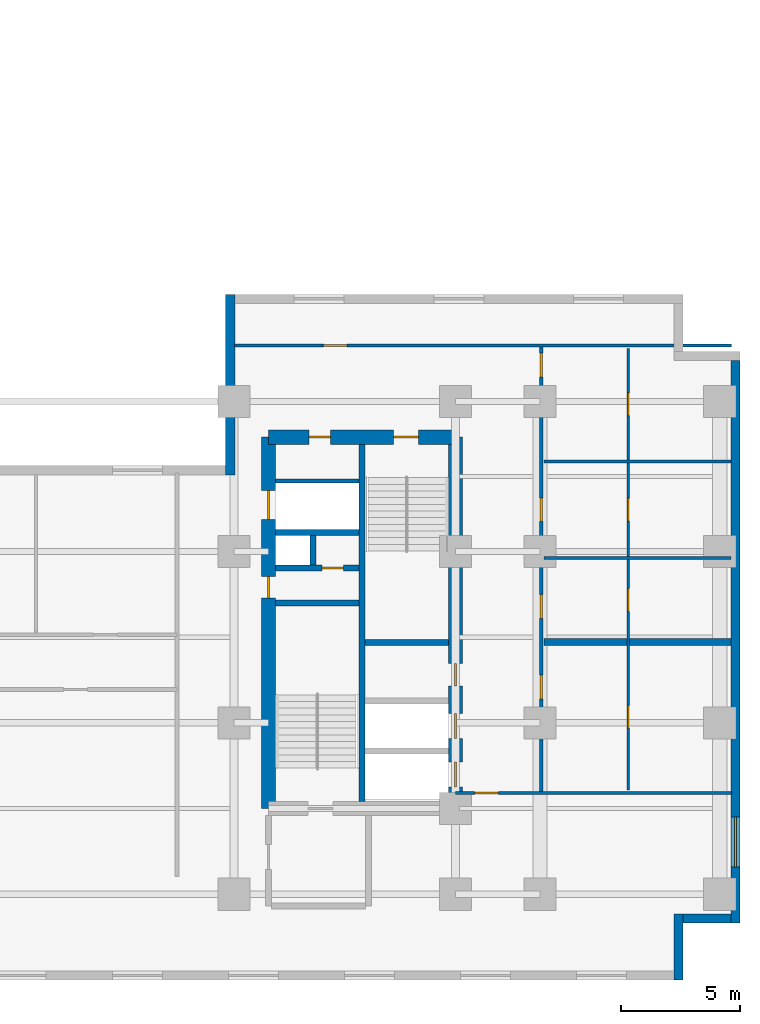
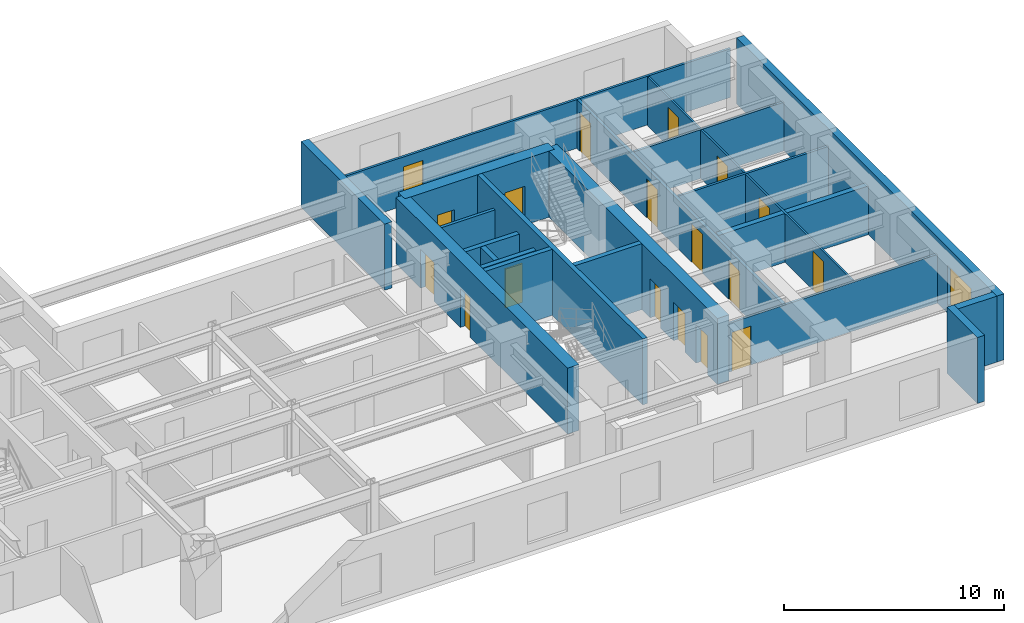
# One storey, part 5 of 9: 21 walls, 18 doors, 1 window, 19 openings.
"""IFC4 building model written with IfcOpenShell, lengths in metres."""

from ifc_helpers import new_model, entity, si_unit, converted_unit, direction, frame, origin_with_axes, origin_2d_with_axis, place, context, subcontext, project, spatial, polyline, rectangle, outline, extrude, material, layer, layer_set, type_object, element, fill, save


model = new_model("IFC4")

# Units and contexts
model_context = context("Model", 3, precision=1e-05, world=origin_with_axes(), true_north=direction((0.0, 1.0)))
body_context = subcontext(model_context, "Body", "Model", "MODEL_VIEW")
ifc_project = project(units=[si_unit("LENGTHUNIT", "METRE"), si_unit("AREAUNIT", "SQUARE_METRE"), si_unit("VOLUMEUNIT", "CUBIC_METRE"), converted_unit("PLANEANGLEUNIT", "DEGREE", entity("IfcPlaneAngleMeasure", 0.017453292519943295), si_unit("PLANEANGLEUNIT", "RADIAN"), dimensions=[0, 0, 0, 0, 0, 0, 0]), si_unit("MASSUNIT", "GRAM", prefix="KILO"), si_unit("THERMODYNAMICTEMPERATUREUNIT", "KELVIN")], contexts=[model_context])

# Site, building, storey
site_placement = place(None, origin_with_axes())
site = spatial("IfcSite", under=ifc_project, at=site_placement, CompositionType="ELEMENT")
building_placement = place(site_placement, origin_with_axes())
building = spatial("IfcBuilding", under=site, at=building_placement, Name="Varnlund Millrace Tower", CompositionType="ELEMENT")
storey_placement = place(building_placement, frame((0.0, 0.0, 40.5), z_axis=(0.0, 0.0, 1.0), x_axis=(1.0, 0.0, 0.0)))
storey = spatial("IfcBuildingStorey", under=building, at=storey_placement, Name="L09", CompositionType="ELEMENT", Elevation=40.5)

# Wall, openings, doors
ifc_material_1 = material(Name="Concrete C80/95", Category="concrete")
ifc_layer_1 = layer(ifc_material_1, 0.6, Name="Concrete C80/95")
ifc_layer_set_1 = layer_set([ifc_layer_1], Name="Concrete C80/95")
wall_type_1 = type_object("IfcWallType", Name="Type-CoreWall-Shear-600-C80", PredefinedType="SHEAR", material=ifc_layer_set_1)
wall_1_placement = place(storey_placement, frame((40.2, 7.2, 0.0), z_axis=(0.0, 0.0, 1.0), x_axis=(0.0, 1.0, 0.0)))
wall_1 = element("IfcWall", 1, at=wall_1_placement, inside=storey, type_object=wall_type_1, Name="Type-CoreWall-Shear-600-C80", PredefinedType="SHEAR", context=body_context, shape_type="SweptSolid", body=[
    extrude(outline(polyline([(0.0, -0.3), (15.6, -0.3), (15.6, 0.3), (0.0, 0.3), (0.0, -0.3)])), origin_with_axes(), (0.0, 0.0, 1.0), 3.66),
])
opening_1_placement = place(wall_1_placement, frame((12.75, 0.0, 0.0), z_axis=(0.0, 0.0, 1.0), x_axis=(1.0, 0.0, 0.0)))
opening_1 = element("IfcOpeningElement", 2, at=opening_1_placement, cuts=wall_1, Name="Opening L09:LD-SRV2", PredefinedType="OPENING", context=body_context, shape_type="SweptSolid", body=[
    extrude(rectangle(XDim=1.2, YDim=0.62, at=origin_2d_with_axis()), origin_with_axes(), (0.0, 0.0, 1.0), 2.15),
])
opening_2_placement = place(wall_1_placement, frame((9.3, 0.0, 0.0), z_axis=(0.0, 0.0, 1.0), x_axis=(1.0, 0.0, 0.0)))
opening_2 = element("IfcOpeningElement", 3, at=opening_2_placement, cuts=wall_1, Name="Opening L09:DR-CB-JAN", PredefinedType="OPENING", context=body_context, shape_type="SweptSolid", body=[
    extrude(rectangle(XDim=0.9, YDim=0.62, at=origin_2d_with_axis()), origin_with_axes(), (0.0, 0.0, 1.0), 2.15),
])
ifc_material_2 = material(Name="Fire-rated hollow steel service closet door", Category="steel")
door_type_1 = type_object("IfcDoorType", Name="Type-FireDoor-Closet-900X2150", OperationType="NOTDEFINED", PredefinedType="DOOR", material=ifc_material_2)
door_1_placement = place(wall_1_placement, frame((9.3, 0.0, 0.0), z_axis=(0.0, 0.0, 1.0), x_axis=(1.0, 0.0, 0.0)))
door_1 = element("IfcDoor", 4, at=door_1_placement, inside=storey, type_object=door_type_1, Name="Type-FireDoor-Closet-900X2150", OperationType="SINGLE_SWING_RIGHT", OverallHeight=2.15, OverallWidth=0.9, PredefinedType="DOOR", context=body_context, shape_type="SweptSolid", body=[
    extrude(rectangle(XDim=0.9, YDim=0.09, at=origin_2d_with_axis()), origin_with_axes(), (0.0, 0.0, 1.0), 2.15),
])
fill(opening_2, door_1)
ifc_material_3 = material(Name="Heavy-duty freight sliding landing door")
door_type_2 = type_object("IfcDoorType", Name="Type-LiftLandingDoor-Service-1200X2150", OperationType="NOTDEFINED", PredefinedType="DOOR", material=ifc_material_3)
door_2_placement = place(wall_1_placement, frame((12.75, 0.0, 0.0), z_axis=(0.0, 0.0, 1.0), x_axis=(1.0, 0.0, 0.0)))
door_2 = element("IfcDoor", 5, at=door_2_placement, inside=storey, type_object=door_type_2, Name="Type-LiftLandingDoor-Service-1200X2150", OperationType="DOUBLE_DOOR_SLIDING", OverallHeight=2.15, OverallWidth=1.2, PredefinedType="DOOR", context=body_context, shape_type="SweptSolid", body=[
    extrude(rectangle(XDim=1.2, YDim=0.09, at=origin_2d_with_axis()), origin_with_axes(), (0.0, 0.0, 1.0), 2.15),
])
fill(opening_1, door_2)

wall_2_placement = place(storey_placement, frame((40.2, 22.8, 0.0), z_axis=(0.0, 0.0, 1.0), x_axis=(1.0, 0.0, 0.0)))
wall_2 = element("IfcWall", 6, at=wall_2_placement, inside=storey, type_object=wall_type_1, Name="Type-CoreWall-Shear-600-C80", PredefinedType="SHEAR", context=body_context, shape_type="SweptSolid", body=[
    extrude(outline(polyline([(0.0, -0.3), (7.85, -0.3), (7.85, 0.3), (0.0, 0.3), (0.0, -0.3)])), origin_with_axes(), (0.0, 0.0, 1.0), 3.66),
])
opening_3_placement = place(wall_2_placement, frame((5.775, 0.0, 0.0), z_axis=(0.0, 0.0, 1.0), x_axis=(1.0, 0.0, 0.0)))
opening_3 = element("IfcOpeningElement", 7, at=opening_3_placement, cuts=wall_2, Name="Opening L09:DR-STB2", PredefinedType="OPENING", context=body_context, shape_type="SweptSolid", body=[
    extrude(rectangle(XDim=1.05, YDim=0.62, at=origin_2d_with_axis()), origin_with_axes(), (0.0, 0.0, 1.0), 2.15),
])
opening_4_placement = place(wall_2_placement, frame((2.15, 0.0, 0.0), z_axis=(0.0, 0.0, 1.0), x_axis=(1.0, 0.0, 0.0)))
opening_4 = element("IfcOpeningElement", 8, at=opening_4_placement, cuts=wall_2, Name="Opening L09:DR-CB-NW", PredefinedType="OPENING", context=body_context, shape_type="SweptSolid", body=[
    extrude(rectangle(XDim=0.9, YDim=0.62, at=origin_2d_with_axis()), origin_with_axes(), (0.0, 0.0, 1.0), 2.15),
])
door_3_placement = place(wall_2_placement, frame((2.15, 0.0, 0.0), z_axis=(0.0, 0.0, 1.0), x_axis=(1.0, 0.0, 0.0)))
door_3 = element("IfcDoor", 9, at=door_3_placement, inside=storey, type_object=door_type_1, Name="Type-FireDoor-Closet-900X2150", OperationType="SINGLE_SWING_LEFT", OverallHeight=2.15, OverallWidth=0.9, PredefinedType="DOOR", context=body_context, shape_type="SweptSolid", body=[
    extrude(rectangle(XDim=0.9, YDim=0.09, at=origin_2d_with_axis()), origin_with_axes(), (0.0, 0.0, 1.0), 2.15),
])
fill(opening_4, door_3)
ifc_material_4 = material(Name="Fire-rated hollow steel door", Category="steel")
door_type_3 = type_object("IfcDoorType", Name="Type-FireDoor-Stair-1050X2150", OperationType="NOTDEFINED", PredefinedType="DOOR", material=ifc_material_4)
door_4_placement = place(wall_2_placement, frame((5.775, 0.0, 0.0), z_axis=(0.0, 0.0, 1.0), x_axis=(1.0, 0.0, 0.0)))
door_4 = element("IfcDoor", 10, at=door_4_placement, inside=storey, type_object=door_type_3, Name="Type-FireDoor-Stair-1050X2150", OperationType="SINGLE_SWING_RIGHT", OverallHeight=2.15, OverallWidth=1.05, PredefinedType="DOOR", context=body_context, shape_type="SweptSolid", body=[
    extrude(rectangle(XDim=1.05, YDim=0.09, at=origin_2d_with_axis()), origin_with_axes(), (0.0, 0.0, 1.0), 2.15),
])
fill(opening_3, door_4)

wall_3_placement = place(storey_placement, frame((48.05, 7.2, 0.0), z_axis=(0.0, 0.0, 1.0), x_axis=(0.0, 1.0, 0.0)))
wall_3 = element("IfcWall", 11, at=wall_3_placement, inside=storey, type_object=wall_type_1, Name="Type-CoreWall-Shear-600-C80", PredefinedType="SHEAR", context=body_context, shape_type="SweptSolid", body=[
    extrude(outline(polyline([(0.0, -0.3), (15.6, -0.3), (15.6, 0.3), (0.0, 0.3), (0.0, -0.3)])), origin_with_axes(), (0.0, 0.0, 1.0), 3.66),
])
opening_5_placement = place(wall_3_placement, frame((1.425, 0.0, 0.0), z_axis=(0.0, 0.0, 1.0), x_axis=(1.0, 0.0, 0.0)))
opening_5 = element("IfcOpeningElement", 12, at=opening_5_placement, cuts=wall_3, Name="Opening L09:LD-ELV-L3", PredefinedType="OPENING", context=body_context, shape_type="SweptSolid", body=[
    extrude(rectangle(XDim=1.05, YDim=0.62, at=origin_2d_with_axis()), origin_with_axes(), (0.0, 0.0, 1.0), 2.15),
])
opening_6_placement = place(wall_3_placement, frame((3.475, 0.0, 0.0), z_axis=(0.0, 0.0, 1.0), x_axis=(1.0, 0.0, 0.0)))
opening_6 = element("IfcOpeningElement", 13, at=opening_6_placement, cuts=wall_3, Name="Opening L09:LD-ELV-L4", PredefinedType="OPENING", context=body_context, shape_type="SweptSolid", body=[
    extrude(rectangle(XDim=1.05, YDim=0.62, at=origin_2d_with_axis()), origin_with_axes(), (0.0, 0.0, 1.0), 2.15),
])
opening_7_placement = place(wall_3_placement, frame((5.625, 0.0, 0.0), z_axis=(0.0, 0.0, 1.0), x_axis=(1.0, 0.0, 0.0)))
opening_7 = element("IfcOpeningElement", 14, at=opening_7_placement, cuts=wall_3, Name="Opening L09:DR-CB-WC", PredefinedType="OPENING", context=body_context, shape_type="SweptSolid", body=[
    extrude(rectangle(XDim=0.95, YDim=0.62, at=origin_2d_with_axis()), origin_with_axes(), (0.0, 0.0, 1.0), 2.15),
])
ifc_material_5 = material(Name="Fire-rated hollow steel core service door", Category="steel")
door_type_4 = type_object("IfcDoorType", Name="Type-FireDoor-Service-950X2150", OperationType="NOTDEFINED", PredefinedType="DOOR", material=ifc_material_5)
door_5_placement = place(wall_3_placement, frame((5.625, 0.0, 0.0), z_axis=(0.0, 0.0, 1.0), x_axis=(1.0, 0.0, 0.0)))
door_5 = element("IfcDoor", 15, at=door_5_placement, inside=storey, type_object=door_type_4, Name="Type-FireDoor-Service-950X2150", OperationType="SINGLE_SWING_LEFT", OverallHeight=2.15, OverallWidth=0.95, PredefinedType="DOOR", context=body_context, shape_type="SweptSolid", body=[
    extrude(rectangle(XDim=0.95, YDim=0.09, at=origin_2d_with_axis()), origin_with_axes(), (0.0, 0.0, 1.0), 2.15),
])
fill(opening_7, door_5)
ifc_material_6 = material(Name="Architectural bronze sliding landing door")
door_type_5 = type_object("IfcDoorType", Name="Type-LiftLandingDoor-Compact-1050X2150", OperationType="NOTDEFINED", PredefinedType="DOOR", material=ifc_material_6)
door_6_placement = place(wall_3_placement, frame((1.425, 0.0, 0.0), z_axis=(0.0, 0.0, 1.0), x_axis=(1.0, 0.0, 0.0)))
door_6 = element("IfcDoor", 16, at=door_6_placement, inside=storey, type_object=door_type_5, Name="Type-LiftLandingDoor-Compact-1050X2150", OperationType="SLIDING_TO_LEFT", OverallHeight=2.15, OverallWidth=1.05, PredefinedType="DOOR", context=body_context, shape_type="SweptSolid", body=[
    extrude(rectangle(XDim=1.05, YDim=0.09, at=origin_2d_with_axis()), origin_with_axes(), (0.0, 0.0, 1.0), 2.15),
])
fill(opening_5, door_6)
door_7_placement = place(wall_3_placement, frame((3.475, 0.0, 0.0), z_axis=(0.0, 0.0, 1.0), x_axis=(1.0, 0.0, 0.0)))
door_7 = element("IfcDoor", 17, at=door_7_placement, inside=storey, type_object=door_type_5, Name="Type-LiftLandingDoor-Compact-1050X2150", OperationType="SLIDING_TO_RIGHT", OverallHeight=2.15, OverallWidth=1.05, PredefinedType="DOOR", context=body_context, shape_type="SweptSolid", body=[
    extrude(rectangle(XDim=1.05, YDim=0.09, at=origin_2d_with_axis()), origin_with_axes(), (0.0, 0.0, 1.0), 2.15),
])
fill(opening_6, door_7)

# Wall
ifc_material_7 = material(Name="Precast concrete C50/60", Category="concrete")
ifc_layer_2 = layer(ifc_material_7, 0.38, Name="Precast concrete C50/60")
ifc_layer_set_2 = layer_set([ifc_layer_2], Name="Precast concrete C50/60")
wall_type_2 = type_object("IfcWallType", Name="Type-ExtWall-Precast-Tube-380", PredefinedType="SOLIDWALL", material=ifc_layer_set_2)
wall_4_placement = place(storey_placement, frame((38.59, 21.22, 0.0), z_axis=(0.0, 0.0, 1.0), x_axis=(0.0, 1.0, 0.0)))
element("IfcWall", 18, at=wall_4_placement, inside=storey, type_object=wall_type_2, Name="Type-ExtWall-Precast-Tube-380", PredefinedType="SOLIDWALL", context=body_context, shape_type="SweptSolid", body=[
    extrude(outline(polyline([(0.0, -0.19), (7.58, -0.19), (7.58, 0.19), (0.0, 0.19), (0.0, -0.19)])), origin_with_axes(), (0.0, 0.0, 1.0), 3.66),
])

# Wall, opening, window
wall_5_placement = place(storey_placement, frame((59.81, 26.02, 0.0), z_axis=(0.0, 0.0, 1.0), x_axis=(0.0, -1.0, 0.0)))
wall_5 = element("IfcWall", 19, at=wall_5_placement, inside=storey, type_object=wall_type_2, Name="Type-ExtWall-Precast-Tube-380", PredefinedType="SOLIDWALL", context=body_context, shape_type="SweptSolid", body=[
    extrude(outline(polyline([(0.0, -0.19), (23.62, -0.19), (23.62, 0.19), (0.0, 0.19), (0.0, -0.19)])), origin_with_axes(), (0.0, 0.0, 1.0), 3.66),
])
opening_8_placement = place(wall_5_placement, frame((20.218, 0.0, 0.45), z_axis=(0.0, 0.0, 1.0), x_axis=(1.0, 0.0, 0.0)))
opening_8 = element("IfcOpeningElement", 20, at=opening_8_placement, cuts=wall_5, Name="Opening L09:WN-04", PredefinedType="OPENING", context=body_context, shape_type="SweptSolid", body=[
    extrude(rectangle(XDim=2.1, YDim=0.4, at=origin_2d_with_axis()), origin_with_axes(), (0.0, 0.0, 1.0), 2.2),
])
ifc_material_8 = material(Name="Argon low-e triple glazing in thermally broken bronze frame", Category="glass")
window_type = type_object("IfcWindowType", Name="Type-Window-Punched-2100X2200", PartitioningType="SINGLE_PANEL", PredefinedType="WINDOW", material=ifc_material_8)
window_placement = place(wall_5_placement, frame((20.218, 0.0, 0.45), z_axis=(0.0, 0.0, 1.0), x_axis=(1.0, 0.0, 0.0)))
window = element("IfcWindow", 21, at=window_placement, inside=storey, type_object=window_type, Name="Type-Window-Punched-2100X2200", OverallHeight=2.2, OverallWidth=2.1, PredefinedType="WINDOW", context=body_context, shape_type="SweptSolid", body=[
    extrude(rectangle(XDim=2.1, YDim=0.09, at=origin_2d_with_axis()), origin_with_axes(), (0.0, 0.0, 1.0), 2.2),
])
fill(opening_8, window)

# Walls
wall_6_placement = place(storey_placement, frame((59.62, 2.59, 0.0), z_axis=(0.0, 0.0, 1.0), x_axis=(-1.0, 0.0, 0.0)))
element("IfcWall", 22, at=wall_6_placement, inside=storey, type_object=wall_type_2, Name="Type-ExtWall-Precast-Tube-380", PredefinedType="SOLIDWALL", context=body_context, shape_type="SweptSolid", body=[
    extrude(outline(polyline([(0.0, -0.19), (2.02, -0.19), (2.02, 0.19), (0.0, 0.19), (0.0, -0.19)])), origin_with_axes(), (0.0, 0.0, 1.0), 3.66),
])
wall_7_placement = place(storey_placement, frame((57.41, 2.78, 0.0), z_axis=(0.0, 0.0, 1.0), x_axis=(0.0, -1.0, 0.0)))
element("IfcWall", 23, at=wall_7_placement, inside=storey, type_object=wall_type_2, Name="Type-ExtWall-Precast-Tube-380", PredefinedType="SOLIDWALL", context=body_context, shape_type="SweptSolid", body=[
    extrude(outline(polyline([(0.0, -0.19), (2.78, -0.19), (2.78, 0.19), (0.0, 0.19), (0.0, -0.19)])), origin_with_axes(), (0.0, 0.0, 1.0), 3.66),
])
ifc_material_9 = material(Name="Double-stud STC-60 conference acoustic partition", Category="gypsum")
ifc_layer_3 = layer(ifc_material_9, 0.28, Name="Double-stud STC-60 conference acoustic partition")
ifc_layer_set_3 = layer_set([ifc_layer_3], Name="Double-stud STC-60 conference acoustic partition")
wall_type_3 = type_object("IfcWallType", Name="Type-Partition-Acoustic-280", PredefinedType="PARTITIONING", material=ifc_layer_set_3)
wall_8_placement = place(storey_placement, frame((51.77, 14.196, 0.0), z_axis=(0.0, 0.0, 1.0), x_axis=(1.0, 0.0, 0.0)))
element("IfcWall", 24, at=wall_8_placement, inside=storey, type_object=wall_type_3, Name="Type-Partition-Acoustic-280", PredefinedType="PARTITIONING", context=body_context, shape_type="SweptSolid", body=[
    extrude(outline(polyline([(0.0, -0.14), (7.855, -0.14), (7.855, 0.14), (0.0, 0.14), (0.0, -0.14)])), origin_with_axes(), (0.0, 0.0, 1.0), 2.7),
])
ifc_material_10 = material(Name="Fire-rated gypsum board on cold-formed steel framing", Category="steel")
ifc_layer_4 = layer(ifc_material_10, 0.16, Name="Fire-rated gypsum board on cold-formed steel framing")
ifc_layer_set_4 = layer_set([ifc_layer_4], Name="Fire-rated gypsum board on cold-formed steel framing")
wall_type_4 = type_object("IfcWallType", Name="Type-Partition-Corridor-160", PredefinedType="PARTITIONING", material=ifc_layer_set_4)
wall_9_placement = place(storey_placement, frame((40.5, 20.96, 0.0), z_axis=(0.0, 0.0, 1.0), x_axis=(1.0, 0.0, 0.0)))
element("IfcWall", 25, at=wall_9_placement, inside=storey, type_object=wall_type_4, Name="Type-Partition-Corridor-160", PredefinedType="PARTITIONING", context=body_context, shape_type="SweptSolid", body=[
    extrude(outline(polyline([(0.0, -0.08), (3.5, -0.08), (3.5, 0.08), (0.0, 0.08), (0.0, -0.08)])), origin_with_axes(), (0.0, 0.0, 1.0), 2.7),
])

# Wall, openings, doors
wall_10_placement = place(storey_placement, frame((51.65, 7.85, 0.0), z_axis=(0.0, 0.0, 1.0), x_axis=(0.0, 1.0, 0.0)))
wall_10 = element("IfcWall", 26, at=wall_10_placement, inside=storey, type_object=wall_type_4, Name="Type-Partition-Corridor-160", PredefinedType="PARTITIONING", context=body_context, shape_type="SweptSolid", body=[
    extrude(outline(polyline([(0.0, -0.08), (18.8, -0.08), (18.8, 0.08), (0.0, 0.08), (0.0, -0.08)])), origin_with_axes(), (0.0, 0.0, 1.0), 2.7),
])
opening_9_placement = place(wall_10_placement, frame((4.453, 0.0, 0.0), z_axis=(0.0, 0.0, 1.0), x_axis=(1.0, 0.0, 0.0)))
opening_9 = element("IfcOpeningElement", 27, at=opening_9_placement, cuts=wall_10, Name="Opening L09:DR-WB-01", PredefinedType="OPENING", context=body_context, shape_type="SweptSolid", body=[
    extrude(rectangle(XDim=1.0, YDim=0.18, at=origin_2d_with_axis()), origin_with_axes(), (0.0, 0.0, 1.0), 2.15),
])
opening_10_placement = place(wall_10_placement, frame((7.831, 0.0, 0.0), z_axis=(0.0, 0.0, 1.0), x_axis=(1.0, 0.0, 0.0)))
opening_10 = element("IfcOpeningElement", 28, at=opening_10_placement, cuts=wall_10, Name="Opening L09:DR-WB-02", PredefinedType="OPENING", context=body_context, shape_type="SweptSolid", body=[
    extrude(rectangle(XDim=1.0, YDim=0.18, at=origin_2d_with_axis()), origin_with_axes(), (0.0, 0.0, 1.0), 2.15),
])
opening_11_placement = place(wall_10_placement, frame((11.898, 0.0, 0.0), z_axis=(0.0, 0.0, 1.0), x_axis=(1.0, 0.0, 0.0)))
opening_11 = element("IfcOpeningElement", 29, at=opening_11_placement, cuts=wall_10, Name="Opening L09:DR-WB-03", PredefinedType="OPENING", context=body_context, shape_type="SweptSolid", body=[
    extrude(rectangle(XDim=1.0, YDim=0.18, at=origin_2d_with_axis()), origin_with_axes(), (0.0, 0.0, 1.0), 2.15),
])
opening_12_placement = place(wall_10_placement, frame((17.98, 0.0, 0.0), z_axis=(0.0, 0.0, 1.0), x_axis=(1.0, 0.0, 0.0)))
opening_12 = element("IfcOpeningElement", 30, at=opening_12_placement, cuts=wall_10, Name="Opening L09:DR-WB-04", PredefinedType="OPENING", context=body_context, shape_type="SweptSolid", body=[
    extrude(rectangle(XDim=1.0, YDim=0.18, at=origin_2d_with_axis()), origin_with_axes(), (0.0, 0.0, 1.0), 2.15),
])
ifc_material_11 = material(Name="Solid-core white oak and bronze frame door")
door_type_6 = type_object("IfcDoorType", Name="Type-IntDoor-Office-1000X2150", OperationType="NOTDEFINED", PredefinedType="DOOR", material=ifc_material_11)
door_8_placement = place(wall_10_placement, frame((4.453, 0.0, 0.0), z_axis=(0.0, 0.0, 1.0), x_axis=(1.0, 0.0, 0.0)))
door_8 = element("IfcDoor", 31, at=door_8_placement, inside=storey, type_object=door_type_6, Name="Type-IntDoor-Office-1000X2150", OperationType="SINGLE_SWING_LEFT", OverallHeight=2.15, OverallWidth=1.0, PredefinedType="DOOR", context=body_context, shape_type="SweptSolid", body=[
    extrude(rectangle(XDim=1.0, YDim=0.09, at=origin_2d_with_axis()), origin_with_axes(), (0.0, 0.0, 1.0), 2.15),
])
fill(opening_9, door_8)
door_9_placement = place(wall_10_placement, frame((7.831, 0.0, 0.0), z_axis=(0.0, 0.0, 1.0), x_axis=(1.0, 0.0, 0.0)))
door_9 = element("IfcDoor", 32, at=door_9_placement, inside=storey, type_object=door_type_6, Name="Type-IntDoor-Office-1000X2150", OperationType="SINGLE_SWING_RIGHT", OverallHeight=2.15, OverallWidth=1.0, PredefinedType="DOOR", context=body_context, shape_type="SweptSolid", body=[
    extrude(rectangle(XDim=1.0, YDim=0.09, at=origin_2d_with_axis()), origin_with_axes(), (0.0, 0.0, 1.0), 2.15),
])
fill(opening_10, door_9)
door_10_placement = place(wall_10_placement, frame((11.898, 0.0, 0.0), z_axis=(0.0, 0.0, 1.0), x_axis=(1.0, 0.0, 0.0)))
door_10 = element("IfcDoor", 33, at=door_10_placement, inside=storey, type_object=door_type_6, Name="Type-IntDoor-Office-1000X2150", OperationType="SINGLE_SWING_LEFT", OverallHeight=2.15, OverallWidth=1.0, PredefinedType="DOOR", context=body_context, shape_type="SweptSolid", body=[
    extrude(rectangle(XDim=1.0, YDim=0.09, at=origin_2d_with_axis()), origin_with_axes(), (0.0, 0.0, 1.0), 2.15),
])
fill(opening_11, door_10)
door_11_placement = place(wall_10_placement, frame((17.98, 0.0, 0.0), z_axis=(0.0, 0.0, 1.0), x_axis=(1.0, 0.0, 0.0)))
door_11 = element("IfcDoor", 34, at=door_11_placement, inside=storey, type_object=door_type_6, Name="Type-IntDoor-Office-1000X2150", OperationType="SINGLE_SWING_RIGHT", OverallHeight=2.15, OverallWidth=1.0, PredefinedType="DOOR", context=body_context, shape_type="SweptSolid", body=[
    extrude(rectangle(XDim=1.0, YDim=0.09, at=origin_2d_with_axis()), origin_with_axes(), (0.0, 0.0, 1.0), 2.15),
])
fill(opening_12, door_11)

ifc_material_12 = material(Name="Architectural bronze and acoustic glass office front", Category="glass")
ifc_layer_5 = layer(ifc_material_12, 0.1, Name="Architectural bronze and acoustic glass office front")
ifc_layer_set_5 = layer_set([ifc_layer_5], Name="Architectural bronze and acoustic glass office front")
wall_type_5 = type_object("IfcWallType", Name="Type-Partition-Glazed-100", PredefinedType="PARTITIONING", material=ifc_layer_set_5)
wall_11_placement = place(storey_placement, frame((55.3, 7.98, 0.0), z_axis=(0.0, 0.0, 1.0), x_axis=(0.0, 1.0, 0.0)))
wall_11 = element("IfcWall", 35, at=wall_11_placement, inside=storey, type_object=wall_type_5, Name="Type-Partition-Glazed-100", PredefinedType="PARTITIONING", context=body_context, shape_type="SweptSolid", body=[
    extrude(outline(polyline([(0.0, -0.05), (18.54, -0.05), (18.54, 0.05), (0.0, 0.05), (0.0, -0.05)])), origin_with_axes(), (0.0, 0.0, 1.0), 2.7),
])
opening_13_placement = place(wall_11_placement, frame((3.073, 0.0, 0.0), z_axis=(0.0, 0.0, 1.0), x_axis=(1.0, 0.0, 0.0)))
opening_13 = element("IfcOpeningElement", 36, at=opening_13_placement, cuts=wall_11, Name="Opening L09:DR-WB-S01", PredefinedType="OPENING", context=body_context, shape_type="SweptSolid", body=[
    extrude(rectangle(XDim=0.95, YDim=0.12, at=origin_2d_with_axis()), origin_with_axes(), (0.0, 0.0, 1.0), 2.15),
])
opening_14_placement = place(wall_11_placement, frame((7.9805, 0.0, 0.0), z_axis=(0.0, 0.0, 1.0), x_axis=(1.0, 0.0, 0.0)))
opening_14 = element("IfcOpeningElement", 37, at=opening_14_placement, cuts=wall_11, Name="Opening L09:DR-WB-S02", PredefinedType="OPENING", context=body_context, shape_type="SweptSolid", body=[
    extrude(rectangle(XDim=0.95, YDim=0.12, at=origin_2d_with_axis()), origin_with_axes(), (0.0, 0.0, 1.0), 2.15),
])
opening_15_placement = place(wall_11_placement, frame((11.768, 0.0, 0.0), z_axis=(0.0, 0.0, 1.0), x_axis=(1.0, 0.0, 0.0)))
opening_15 = element("IfcOpeningElement", 38, at=opening_15_placement, cuts=wall_11, Name="Opening L09:DR-WB-S03", PredefinedType="OPENING", context=body_context, shape_type="SweptSolid", body=[
    extrude(rectangle(XDim=0.95, YDim=0.12, at=origin_2d_with_axis()), origin_with_axes(), (0.0, 0.0, 1.0), 2.15),
])
opening_16_placement = place(wall_11_placement, frame((16.2005, 0.0, 0.0), z_axis=(0.0, 0.0, 1.0), x_axis=(1.0, 0.0, 0.0)))
opening_16 = element("IfcOpeningElement", 39, at=opening_16_placement, cuts=wall_11, Name="Opening L09:DR-WB-S04", PredefinedType="OPENING", context=body_context, shape_type="SweptSolid", body=[
    extrude(rectangle(XDim=0.95, YDim=0.12, at=origin_2d_with_axis()), origin_with_axes(), (0.0, 0.0, 1.0), 2.15),
])
ifc_material_13 = material(Name="Solid-core acoustic office door")
door_type_7 = type_object("IfcDoorType", Name="Type-IntDoor-Tenant-950X2150", OperationType="NOTDEFINED", PredefinedType="DOOR", material=ifc_material_13)
door_12_placement = place(wall_11_placement, frame((3.073, 0.0, 0.0), z_axis=(0.0, 0.0, 1.0), x_axis=(1.0, 0.0, 0.0)))
door_12 = element("IfcDoor", 40, at=door_12_placement, inside=storey, type_object=door_type_7, Name="Type-IntDoor-Tenant-950X2150", OperationType="SINGLE_SWING_LEFT", OverallHeight=2.15, OverallWidth=0.95, PredefinedType="DOOR", context=body_context, shape_type="SweptSolid", body=[
    extrude(rectangle(XDim=0.95, YDim=0.06, at=origin_2d_with_axis()), origin_with_axes(), (0.0, 0.0, 1.0), 2.15),
])
fill(opening_13, door_12)
door_13_placement = place(wall_11_placement, frame((7.9805, 0.0, 0.0), z_axis=(0.0, 0.0, 1.0), x_axis=(1.0, 0.0, 0.0)))
door_13 = element("IfcDoor", 41, at=door_13_placement, inside=storey, type_object=door_type_7, Name="Type-IntDoor-Tenant-950X2150", OperationType="SINGLE_SWING_LEFT", OverallHeight=2.15, OverallWidth=0.95, PredefinedType="DOOR", context=body_context, shape_type="SweptSolid", body=[
    extrude(rectangle(XDim=0.95, YDim=0.06, at=origin_2d_with_axis()), origin_with_axes(), (0.0, 0.0, 1.0), 2.15),
])
fill(opening_14, door_13)
door_14_placement = place(wall_11_placement, frame((11.768, 0.0, 0.0), z_axis=(0.0, 0.0, 1.0), x_axis=(1.0, 0.0, 0.0)))
door_14 = element("IfcDoor", 42, at=door_14_placement, inside=storey, type_object=door_type_7, Name="Type-IntDoor-Tenant-950X2150", OperationType="SINGLE_SWING_LEFT", OverallHeight=2.15, OverallWidth=0.95, PredefinedType="DOOR", context=body_context, shape_type="SweptSolid", body=[
    extrude(rectangle(XDim=0.95, YDim=0.06, at=origin_2d_with_axis()), origin_with_axes(), (0.0, 0.0, 1.0), 2.15),
])
fill(opening_15, door_14)
door_15_placement = place(wall_11_placement, frame((16.2005, 0.0, 0.0), z_axis=(0.0, 0.0, 1.0), x_axis=(1.0, 0.0, 0.0)))
door_15 = element("IfcDoor", 43, at=door_15_placement, inside=storey, type_object=door_type_7, Name="Type-IntDoor-Tenant-950X2150", OperationType="SINGLE_SWING_LEFT", OverallHeight=2.15, OverallWidth=0.95, PredefinedType="DOOR", context=body_context, shape_type="SweptSolid", body=[
    extrude(rectangle(XDim=0.95, YDim=0.06, at=origin_2d_with_axis()), origin_with_axes(), (0.0, 0.0, 1.0), 2.15),
])
fill(opening_16, door_15)

# Wall, opening, door
ifc_material_14 = material(Name="Gypsum board tenant partition", Category="gypsum")
ifc_layer_6 = layer(ifc_material_14, 0.125, Name="Gypsum board tenant partition")
ifc_layer_set_6 = layer_set([ifc_layer_6], Name="Gypsum board tenant partition")
wall_type_6 = type_object("IfcWallType", Name="Type-Partition-Tenant-125", PredefinedType="PARTITIONING", material=ifc_layer_set_6)
wall_12_placement = place(storey_placement, frame((59.64, 7.85, 0.0), z_axis=(0.0, 0.0, 1.0), x_axis=(-1.0, 0.0, 0.0)))
wall_12 = element("IfcWall", 44, at=wall_12_placement, inside=storey, type_object=wall_type_6, Name="Type-Partition-Tenant-125", PredefinedType="PARTITIONING", context=body_context, shape_type="SweptSolid", body=[
    extrude(outline(polyline([(0.0, -0.0625), (11.59, -0.0625), (11.59, 0.0625), (0.0, 0.0625), (0.0, -0.0625)])), origin_with_axes(), (0.0, 0.0, 1.0), 2.7),
])
opening_17_placement = place(wall_12_placement, frame((10.29, 0.0, 0.0), z_axis=(0.0, 0.0, 1.0), x_axis=(1.0, 0.0, 0.0)))
opening_17 = element("IfcOpeningElement", 45, at=opening_17_placement, cuts=wall_12, Name="Opening L09:DR-WBS-01", PredefinedType="OPENING", context=body_context, shape_type="SweptSolid", body=[
    extrude(rectangle(XDim=1.0, YDim=0.145, at=origin_2d_with_axis()), origin_with_axes(), (0.0, 0.0, 1.0), 2.15),
])
door_16_placement = place(wall_12_placement, frame((10.29, 0.0, 0.0), z_axis=(0.0, 0.0, 1.0), x_axis=(1.0, 0.0, 0.0)))
door_16 = element("IfcDoor", 46, at=door_16_placement, inside=storey, type_object=door_type_6, Name="Type-IntDoor-Office-1000X2150", OperationType="SINGLE_SWING_LEFT", OverallHeight=2.15, OverallWidth=1.0, PredefinedType="DOOR", context=body_context, shape_type="SweptSolid", body=[
    extrude(rectangle(XDim=1.0, YDim=0.075, at=origin_2d_with_axis()), origin_with_axes(), (0.0, 0.0, 1.0), 2.15),
])
fill(opening_17, door_16)

wall_13_placement = place(storey_placement, frame((38.76, 26.65, 0.0), z_axis=(0.0, 0.0, 1.0), x_axis=(1.0, 0.0, 0.0)))
wall_13 = element("IfcWall", 47, at=wall_13_placement, inside=storey, type_object=wall_type_6, Name="Type-Partition-Tenant-125", PredefinedType="PARTITIONING", context=body_context, shape_type="SweptSolid", body=[
    extrude(outline(polyline([(0.0, -0.0625), (20.88, -0.0625), (20.88, 0.0625), (0.0, 0.0625), (0.0, -0.0625)])), origin_with_axes(), (0.0, 0.0, 1.0), 2.7),
])
opening_18_placement = place(wall_13_placement, frame((4.24, 0.0, 0.0), z_axis=(0.0, 0.0, 1.0), x_axis=(1.0, 0.0, 0.0)))
opening_18 = element("IfcOpeningElement", 48, at=opening_18_placement, cuts=wall_13, Name="Opening L09:DR-WBN-01", PredefinedType="OPENING", context=body_context, shape_type="SweptSolid", body=[
    extrude(rectangle(XDim=1.0, YDim=0.145, at=origin_2d_with_axis()), origin_with_axes(), (0.0, 0.0, 1.0), 2.15),
])
door_17_placement = place(wall_13_placement, frame((4.24, 0.0, 0.0), z_axis=(0.0, 0.0, 1.0), x_axis=(1.0, 0.0, 0.0)))
door_17 = element("IfcDoor", 49, at=door_17_placement, inside=storey, type_object=door_type_6, Name="Type-IntDoor-Office-1000X2150", OperationType="SINGLE_SWING_RIGHT", OverallHeight=2.15, OverallWidth=1.0, PredefinedType="DOOR", context=body_context, shape_type="SweptSolid", body=[
    extrude(rectangle(XDim=1.0, YDim=0.075, at=origin_2d_with_axis()), origin_with_axes(), (0.0, 0.0, 1.0), 2.15),
])
fill(opening_18, door_17)

# Walls
for number, where, z_axis, x_axis, name in (
    (50, (51.77, 17.725, 0.0), (0.0, 0.0, 1.0), (1.0, 0.0, 0.0), "Type-Partition-Tenant-125"),
    (51, (51.77, 21.771, 0.0), (0.0, 0.0, 1.0), (1.0, 0.0, 0.0), "Type-Partition-Tenant-125"),
):
    element("IfcWall", number, at=place(storey_placement, frame(where, z_axis=z_axis, x_axis=x_axis)), inside=storey, type_object=wall_type_6, Name=name, PredefinedType="PARTITIONING", context=body_context, shape_type="SweptSolid", body=[
        extrude(outline(polyline([(0.0, -0.0625), (7.855, -0.0625), (7.855, 0.0625), (0.0, 0.0625), (0.0, -0.0625)])), origin_with_axes(), (0.0, 0.0, 1.0), 2.7),
    ])

# Wall, opening, door
ifc_material_15 = material(Name="Concrete C60/75", Category="concrete")
ifc_layer_7 = layer(ifc_material_15, 0.25, Name="Concrete C60/75")
ifc_layer_set_7 = layer_set([ifc_layer_7], Name="Concrete C60/75")
wall_type_7 = type_object("IfcWallType", Name="Type-ShaftWall-Fire-250", PredefinedType="SOLIDWALL", material=ifc_layer_set_7)
wall_14_placement = place(storey_placement, frame((40.5, 17.3, 0.0), z_axis=(0.0, 0.0, 1.0), x_axis=(1.0, 0.0, 0.0)))
wall_14 = element("IfcWall", 52, at=wall_14_placement, inside=storey, type_object=wall_type_7, Name="Type-ShaftWall-Fire-250", PredefinedType="SOLIDWALL", context=body_context, shape_type="SweptSolid", body=[
    extrude(outline(polyline([(0.0, -0.125), (3.5, -0.125), (3.5, 0.125), (0.0, 0.125), (0.0, -0.125)])), origin_with_axes(), (0.0, 0.0, 1.0), 2.7),
])
opening_19_placement = place(wall_14_placement, frame((2.4, 0.0, 0.0), z_axis=(0.0, 0.0, 1.0), x_axis=(1.0, 0.0, 0.0)))
opening_19 = element("IfcOpeningElement", 53, at=opening_19_placement, cuts=wall_14, Name="Opening L09:DR-CB-ELC", PredefinedType="OPENING", context=body_context, shape_type="SweptSolid", body=[
    extrude(rectangle(XDim=0.9, YDim=0.27, at=origin_2d_with_axis()), origin_with_axes(), (0.0, 0.0, 1.0), 2.15),
])
door_18_placement = place(wall_14_placement, frame((2.4, 0.0, 0.0), z_axis=(0.0, 0.0, 1.0), x_axis=(1.0, 0.0, 0.0)))
door_18 = element("IfcDoor", 54, at=door_18_placement, inside=storey, type_object=door_type_1, Name="Type-FireDoor-Closet-900X2150", OperationType="SINGLE_SWING_LEFT", OverallHeight=2.15, OverallWidth=0.9, PredefinedType="DOOR", context=body_context, shape_type="SweptSolid", body=[
    extrude(rectangle(XDim=0.9, YDim=0.09, at=origin_2d_with_axis()), origin_with_axes(), (0.0, 0.0, 1.0), 2.15),
])
fill(opening_19, door_18)

# Walls
wall_15_placement = place(storey_placement, frame((40.5, 18.8, 0.0), z_axis=(0.0, 0.0, 1.0), x_axis=(1.0, 0.0, 0.0)))
element("IfcWall", 55, at=wall_15_placement, inside=storey, type_object=wall_type_7, Name="Type-ShaftWall-Fire-250", PredefinedType="SOLIDWALL", context=body_context, shape_type="SweptSolid", body=[
    extrude(outline(polyline([(0.0, -0.125), (3.5, -0.125), (3.5, 0.125), (0.0, 0.125), (0.0, -0.125)])), origin_with_axes(), (0.0, 0.0, 1.0), 2.7),
])
wall_16_placement = place(storey_placement, frame((42.075, 17.43, 0.0), z_axis=(0.0, 0.0, 1.0), x_axis=(0.0, 1.0, 0.0)))
element("IfcWall", 56, at=wall_16_placement, inside=storey, type_object=wall_type_7, Name="Type-ShaftWall-Fire-250", PredefinedType="SOLIDWALL", context=body_context, shape_type="SweptSolid", body=[
    extrude(outline(polyline([(0.0, -0.125), (1.24, -0.125), (1.24, 0.125), (0.0, 0.125), (0.0, -0.125)])), origin_with_axes(), (0.0, 0.0, 1.0), 2.7),
])
wall_type_8 = type_object("IfcWallType", Name="Type-StairWall-Shear-250", PredefinedType="SHEAR", material=ifc_layer_set_7)
wall_17_placement = place(storey_placement, frame((44.125, 7.5, 0.0), z_axis=(0.0, 0.0, 1.0), x_axis=(0.0, 1.0, 0.0)))
element("IfcWall", 57, at=wall_17_placement, inside=storey, type_object=wall_type_8, Name="Type-StairWall-Shear-250", PredefinedType="SHEAR", context=body_context, shape_type="SweptSolid", body=[
    extrude(outline(polyline([(0.0, -0.125), (15.0, -0.125), (15.0, 0.125), (0.0, 0.125), (0.0, -0.125)])), origin_with_axes(), (0.0, 0.0, 1.0), 3.66),
])
for number, where, z_axis, x_axis, name in (
    (58, (40.5, 15.825, 0.0), (0.0, 0.0, 1.0), (1.0, 0.0, 0.0), "Type-StairWall-Shear-250"),
    (59, (44.25, 14.175, 0.0), (0.0, 0.0, 1.0), (1.0, 0.0, 0.0), "Type-StairWall-Shear-250"),
):
    element("IfcWall", number, at=place(storey_placement, frame(where, z_axis=z_axis, x_axis=x_axis)), inside=storey, type_object=wall_type_8, Name=name, PredefinedType="SHEAR", context=body_context, shape_type="SweptSolid", body=[
        extrude(outline(polyline([(0.0, -0.125), (3.5, -0.125), (3.5, 0.125), (0.0, 0.125), (0.0, -0.125)])), origin_with_axes(), (0.0, 0.0, 1.0), 3.66),
    ])

save(model, "model.ifc")
